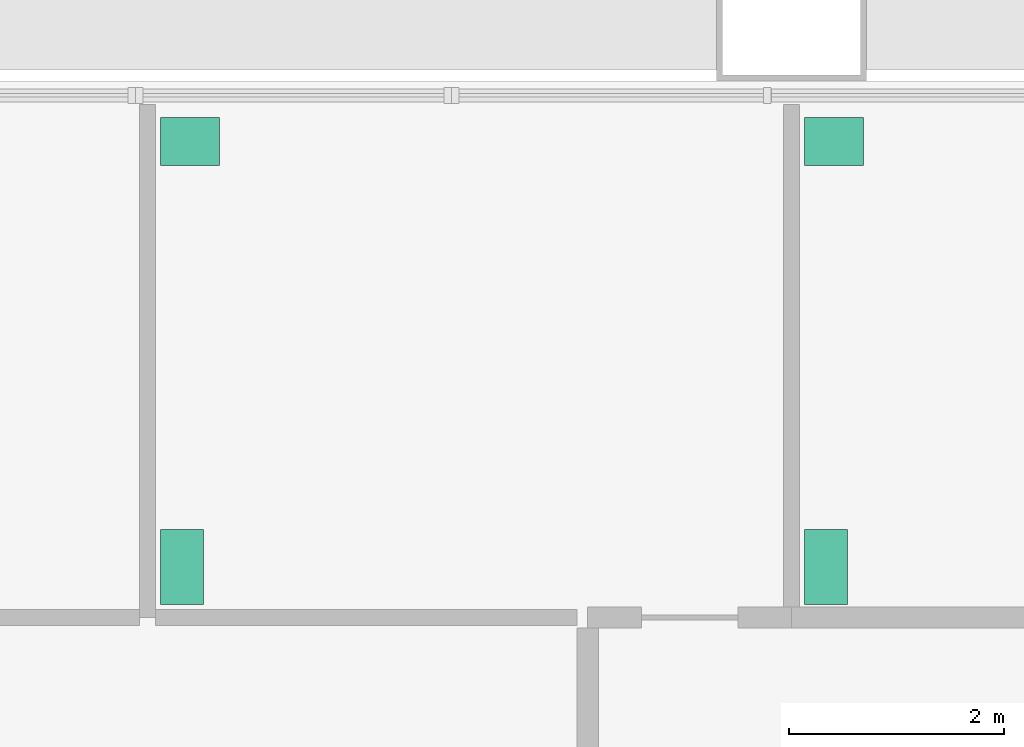
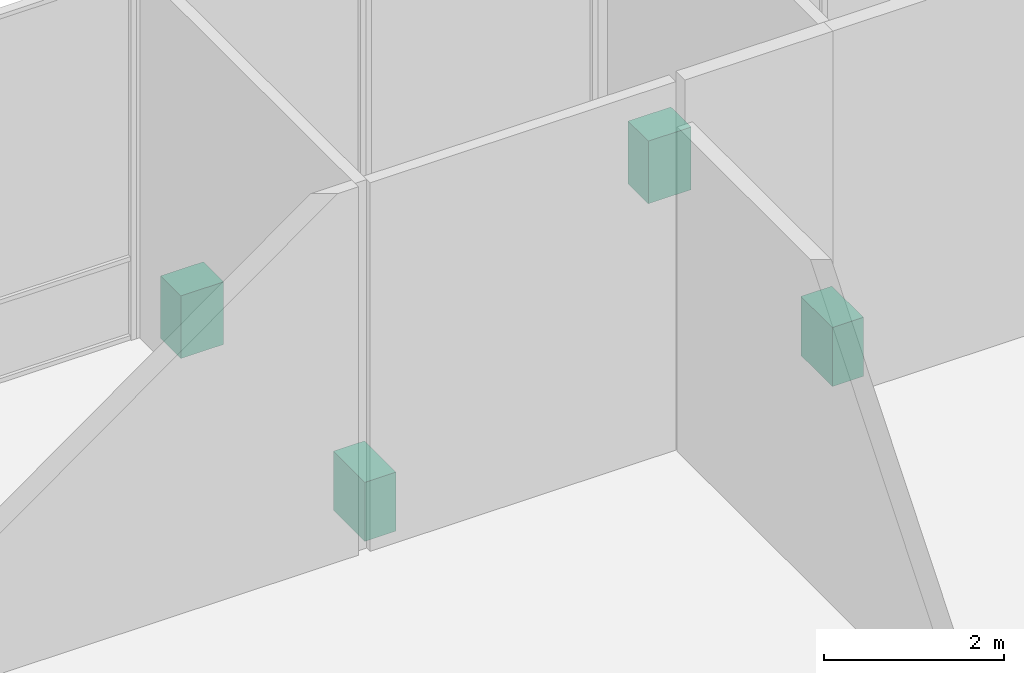
# One storey, part 20 of 20: 4 sanitary terminals.
"""IFC4 building model written with IfcOpenShell, lengths in metres."""

from ifc_helpers import new_model, si_unit, direction, frame, origin, origin_2d, place, context, subcontext, project, spatial, rectangle, extrude, material, type_object, element, save


model = new_model("IFC4")

# Units and contexts
model_context = context("Model", 3, precision=1e-05, world=origin(), true_north=direction((0.0, 1.0)))
body_context = subcontext(model_context, "Body", "Model", "MODEL_VIEW")
ifc_project = project(units=[si_unit("LENGTHUNIT", "METRE"), si_unit("AREAUNIT", "SQUARE_METRE"), si_unit("VOLUMEUNIT", "CUBIC_METRE"), si_unit("PLANEANGLEUNIT", "RADIAN"), si_unit("MASSUNIT", "GRAM", prefix="KILO")], contexts=[model_context])

# Site, building, storey
site_placement = place(None, origin())
site = spatial("IfcSite", under=ifc_project, at=site_placement, CompositionType="ELEMENT")
building_placement = place(site_placement, origin())
building = spatial("IfcBuilding", under=site, at=building_placement, Name="Kitamizu Gate Tower and Museum", CompositionType="ELEMENT")
storey_placement = place(building_placement, frame((0.0, 0.0, 148.35009765625)))
storey = spatial("IfcBuildingStorey", under=building, at=storey_placement, Name="L39", CompositionType="ELEMENT", Elevation=148.35009765625)

# Sanitary terminals
ifc_material_1 = material(Name="Vitreous china")
sanitary_terminal_type_1 = type_object("IfcSanitaryTerminalType", Name="Wash hand basin", PredefinedType="WASHHANDBASIN", material=ifc_material_1)
for number, where, z_axis, x_axis, name in (
    (1, (42.39501953125, 46.93505859375, 0.000732421875), (0.0, 0.0, 1.0), (1.0, 0.0, 0.0), "Wash hand basin Public WC"),
    (2, (48.39501953125, 46.93505859375, 0.000732421875), (0.0, 0.0, 1.0), (1.0, 0.0, 0.0), "Wash hand basin Accessible WC"),
):
    element("IfcSanitaryTerminal", number, at=place(storey_placement, frame(where, z_axis=z_axis, x_axis=x_axis)), inside=storey, type_object=sanitary_terminal_type_1, Name=name, PredefinedType="WASHHANDBASIN", context=body_context, shape_type="SweptSolid", body=[
        extrude(rectangle(XDim=0.550048828125, YDim=0.449951171875, at=origin_2d()), origin(), (0.0, 0.0, 1.0), 0.85009765625),
    ])
ifc_material_2 = material(Name="Vitreous china")
sanitary_terminal_type_2 = type_object("IfcSanitaryTerminalType", Name="Water closet", PredefinedType="TOILETPAN", material=ifc_material_2)
for number, where, z_axis, x_axis, name in (
    (3, (42.320068359375, 42.969970703125, 0.0009765625), (0.0, 0.0, 1.0), (1.0, 0.0, 0.0), "Water closet Public WC"),
    (4, (48.320068359375, 42.969970703125, 0.0009765625), (0.0, 0.0, 1.0), (1.0, 0.0, 0.0), "Water closet Accessible WC"),
):
    element("IfcSanitaryTerminal", number, at=place(storey_placement, frame(where, z_axis=z_axis, x_axis=x_axis)), inside=storey, type_object=sanitary_terminal_type_2, Name=name, PredefinedType="TOILETPAN", context=body_context, shape_type="SweptSolid", body=[
        extrude(rectangle(XDim=0.39990234375, YDim=0.699951171875, at=origin_2d()), origin(), (0.0, 0.0, 1.0), 0.800048828125),
    ])

save(model, "model.ifc")
